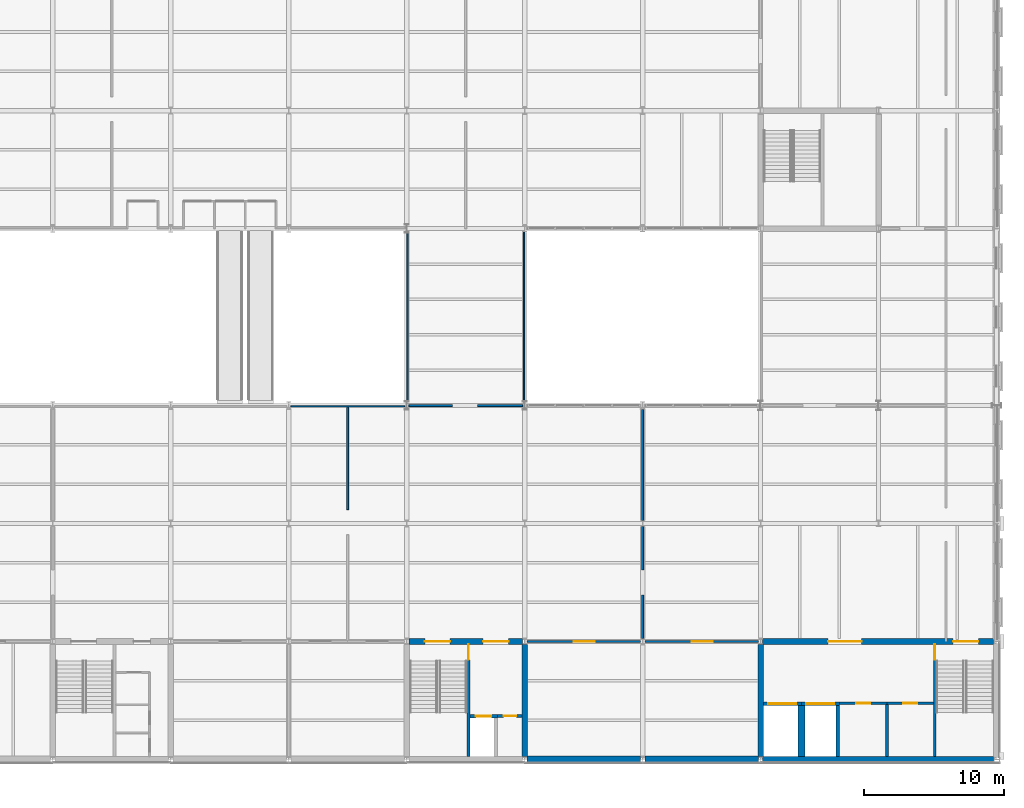
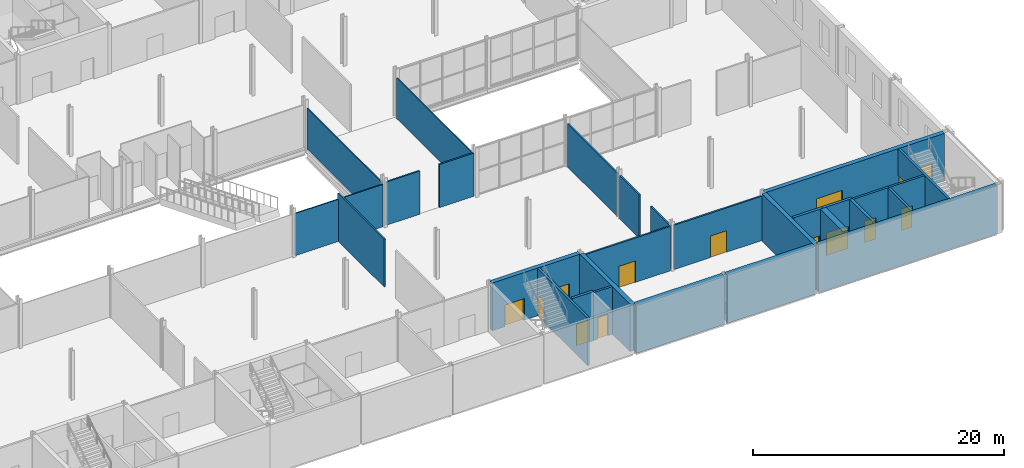
# One storey, part 32 of 52: 29 walls, 14 doors, 14 openings.
"""IFC4 building model written with IfcOpenShell, lengths in metres."""

from ifc_helpers import new_model, si_unit, direction, frame, frame_2d, origin, place, context, subcontext, project, spatial, rectangle, extrude, material, layer, layer_set, type_object, element, fill, save


model = new_model("IFC4")

# Units and contexts
model_context = context("Model", 3, precision=1e-05, world=origin(), true_north=direction((0.0, 1.0)))
body_context = subcontext(model_context, "Body", "Model", "MODEL_VIEW")
ifc_project = project(units=[si_unit("LENGTHUNIT", "METRE"), si_unit("AREAUNIT", "SQUARE_METRE"), si_unit("VOLUMEUNIT", "CUBIC_METRE"), si_unit("PLANEANGLEUNIT", "RADIAN"), si_unit("MASSUNIT", "GRAM", prefix="KILO")], contexts=[model_context])

# Site, building, storey
site_placement = place(None, origin())
site = spatial("IfcSite", under=ifc_project, at=site_placement, CompositionType="ELEMENT")
building_placement = place(site_placement, origin())
building = spatial("IfcBuilding", under=site, at=building_placement, Name="Galleria Vessillo Department Store", CompositionType="ELEMENT")
storey_placement = place(building_placement, frame((0.0, 0.0, 16.199951171875)))
storey = spatial("IfcBuildingStorey", under=building, at=storey_placement, Name="L03", CompositionType="ELEMENT", Elevation=16.199951171875)

# Walls
ifc_material_1 = material(Name="Fire-resisting glass in steel frame S355 J2", Category="steel")
ifc_layer_1 = layer(ifc_material_1, 0.10009765625)
ifc_layer_set_1 = layer_set([ifc_layer_1], Name="Fire-resisting glass in steel frame S355 J2")
wall_type_1 = type_object("IfcWallType", Name="Fire-resisting glazed screen EI 120-Sa 100 mm", PredefinedType="PARTITIONING", material=ifc_layer_set_1)
wall_1_placement = place(storey_placement, frame((67.35302734375, 25.14990234375, 0.0), z_axis=(0.0, 0.0, 1.0), x_axis=(1.0, 0.0, 0.0)))
element("IfcWall", 1, at=wall_1_placement, inside=storey, type_object=wall_type_1, Name="Fire screen, atrium edge L03", PredefinedType="PARTITIONING", context=body_context, shape_type="SweptSolid", body=[
    extrude(rectangle(XDim=8.094482421875, YDim=0.10009765625, at=frame_2d((4.04736328125, 0.0))), origin(), (0.0, 0.0, 1.0), 4.110107421875),
])
wall_2_placement = place(storey_placement, frame((75.64990234375, 25.510009765625, 0.0), z_axis=(0.0, 0.0, 1.0), x_axis=(0.0, 1.0, 0.0)))
element("IfcWall", 2, at=wall_2_placement, inside=storey, type_object=wall_type_1, Name="Fire screen, bridge face L03", PredefinedType="PARTITIONING", context=body_context, shape_type="SweptSolid", body=[
    extrude(rectangle(XDim=11.97998046875, YDim=0.10009765625, at=frame_2d((5.989990234375, 0.0))), origin(), (0.0, 0.0, 1.0), 3.960205078125),
])
wall_3_placement = place(storey_placement, frame((83.949951171875, 25.510009765625, 0.0), z_axis=(0.0, 0.0, 1.0), x_axis=(0.0, 1.0, 0.0)))
element("IfcWall", 3, at=wall_3_placement, inside=storey, type_object=wall_type_1, Name="Fire screen, bridge face L03", PredefinedType="PARTITIONING", context=body_context, shape_type="SweptSolid", body=[
    extrude(rectangle(XDim=12.051025390625, YDim=0.10009765625, at=frame_2d((6.025390625, 0.0))), origin(), (0.0, 0.0, 1.0), 3.960205078125),
])
ifc_material_2 = material(Name="Solid clay block masonry", Category="masonry")
ifc_layer_2 = layer(ifc_material_2, 0.5)
ifc_layer_set_2 = layer_set([ifc_layer_2], Name="Solid clay block masonry")
wall_type_2 = type_object("IfcWallType", Name="Lift shaft partition wall 500 mm", PredefinedType="SOLIDWALL", material=ifc_layer_set_2)
wall_4_placement = place(storey_placement, frame((103.699951171875, 0.199951171875, 0.0), z_axis=(0.0, 0.0, 1.0), x_axis=(0.0, 1.0, 0.0)))
element("IfcWall", 4, at=wall_4_placement, inside=storey, type_object=wall_type_2, Name="Lift shaft partition wall GL1 L03", PredefinedType="SOLIDWALL", context=body_context, shape_type="SweptSolid", body=[
    extrude(rectangle(XDim=3.650146484375, YDim=0.5, at=frame_2d((1.8251953125, 0.0))), origin(), (0.0, 0.0, 1.0), 4.800048828125),
])

# Wall, opening, door
ifc_material_3 = material(Name="Solid clay block masonry", Category="masonry")
ifc_layer_3 = layer(ifc_material_3, 0.25)
ifc_layer_set_3 = layer_set([ifc_layer_3], Name="Solid clay block masonry")
wall_type_3 = type_object("IfcWallType", Name="Lift shaft wall 250 mm", PredefinedType="SOLIDWALL", material=ifc_layer_set_3)
wall_5_placement = place(storey_placement, frame((80.10009765625, 3.074951171875, 0.0), z_axis=(0.0, 0.0, 1.0), x_axis=(1.0, 0.0, 0.0)))
wall_5 = element("IfcWall", 5, at=wall_5_placement, inside=storey, type_object=wall_type_3, Name="Lift shaft wall LP5 landing side L03", PredefinedType="SOLIDWALL", context=body_context, shape_type="SweptSolid", body=[
    extrude(rectangle(XDim=1.949951171875, YDim=0.25, at=frame_2d((0.97509765625, 0.0))), origin(), (0.0, 0.0, 1.0), 4.800048828125),
])
opening_1_placement = place(wall_5_placement, frame((0.4248046875, 0.0, 0.0)))
opening_1 = element("IfcOpeningElement", 6, at=opening_1_placement, cuts=wall_5, Name="Opening LD038", PredefinedType="OPENING", context=body_context, shape_type="SweptSolid", body=[
    extrude(rectangle(XDim=1.10009765625, YDim=2.10009765625, at=frame_2d((0.550048828125, 1.050048828125))), frame((0.0, 0.135009765625, 0.0), z_axis=(0.0, -1.0, 0.0), x_axis=(1.0, 0.0, 0.0)), (0.0, 0.0, 1.0), 0.27001953125),
])
ifc_material_4 = material(Name="Stainless steel lift door panel", Category="steel")
door_type_1 = type_object("IfcDoorType", Name="Lift landing door LD110 sliding 1100 x 2100", OperationType="SLIDING_TO_LEFT", PredefinedType="DOOR", material=ifc_material_4)
door_1_placement = place(opening_1_placement, origin())
door_1 = element("IfcDoor", 7, at=door_1_placement, inside=storey, type_object=door_type_1, Name="Lift landing door LP5 L03", OperationType="SLIDING_TO_LEFT", OverallHeight=2.10009765625, OverallWidth=1.10009765625, PredefinedType="DOOR", context=body_context, shape_type="SweptSolid", body=[
    extrude(rectangle(XDim=1.10009765625, YDim=2.10009765625, at=frame_2d((0.550048828125, 1.050048828125))), frame((0.0, 0.02490234375, 0.0), z_axis=(0.0, -1.0, 0.0), x_axis=(1.0, 0.0, 0.0)), (0.0, 0.0, 1.0), 0.050048828125),
])
fill(opening_1, door_1)

wall_6_placement = place(storey_placement, frame((101.0, 3.97509765625, 0.0), z_axis=(0.0, 0.0, 1.0), x_axis=(1.0, 0.0, 0.0)))
wall_6 = element("IfcWall", 8, at=wall_6_placement, inside=storey, type_object=wall_type_3, Name="Lift shaft wall GL1 landing side L03", PredefinedType="SOLIDWALL", context=body_context, shape_type="SweptSolid", body=[
    extrude(rectangle(XDim=2.699951171875, YDim=0.25, at=frame_2d((1.35009765625, 0.0))), origin(), (0.0, 0.0, 1.0), 4.800048828125),
])
opening_2_placement = place(wall_6_placement, frame((0.35009765625, 0.0, 0.0)))
opening_2 = element("IfcOpeningElement", 9, at=opening_2_placement, cuts=wall_6, Name="Opening LD059", PredefinedType="OPENING", context=body_context, shape_type="SweptSolid", body=[
    extrude(rectangle(XDim=2.0, YDim=2.199951171875, at=frame_2d((1.0, 1.10009765625))), frame((0.0, 0.135009765625, 0.0), z_axis=(0.0, -1.0, 0.0), x_axis=(1.0, 0.0, 0.0)), (0.0, 0.0, 1.0), 0.27001953125),
])
ifc_material_5 = material(Name="Stainless steel lift door panel", Category="steel")
door_type_2 = type_object("IfcDoorType", Name="Lift landing door LD200 sliding 2000 x 2200", OperationType="DOUBLE_DOOR_SLIDING", PredefinedType="DOOR", material=ifc_material_5)
door_2_placement = place(opening_2_placement, origin())
door_2 = element("IfcDoor", 10, at=door_2_placement, inside=storey, type_object=door_type_2, Name="Lift landing door GL1 L03", OperationType="DOUBLE_DOOR_SLIDING", OverallHeight=2.199951171875, OverallWidth=2.0, PredefinedType="DOOR", context=body_context, shape_type="SweptSolid", body=[
    extrude(rectangle(XDim=2.0, YDim=2.199951171875, at=frame_2d((1.0, 1.10009765625))), frame((0.0, 0.02490234375, 0.0), z_axis=(0.0, -1.0, 0.0), x_axis=(1.0, 0.0, 0.0)), (0.0, 0.0, 1.0), 0.050048828125),
])
fill(opening_2, door_2)

wall_7_placement = place(storey_placement, frame((103.699951171875, 3.97509765625, 0.0), z_axis=(0.0, 0.0, 1.0), x_axis=(1.0, 0.0, 0.0)))
wall_7 = element("IfcWall", 11, at=wall_7_placement, inside=storey, type_object=wall_type_3, Name="Lift shaft wall GL2 landing side L03", PredefinedType="SOLIDWALL", context=body_context, shape_type="SweptSolid", body=[
    extrude(rectangle(XDim=2.699951171875, YDim=0.25, at=frame_2d((1.35009765625, 0.0))), origin(), (0.0, 0.0, 1.0), 4.800048828125),
])
opening_3_placement = place(wall_7_placement, frame((0.35009765625, 0.0, 0.0)))
opening_3 = element("IfcOpeningElement", 12, at=opening_3_placement, cuts=wall_7, Name="Opening LD060", PredefinedType="OPENING", context=body_context, shape_type="SweptSolid", body=[
    extrude(rectangle(XDim=2.0, YDim=2.199951171875, at=frame_2d((1.0, 1.10009765625))), frame((0.0, 0.135009765625, 0.0), z_axis=(0.0, -1.0, 0.0), x_axis=(1.0, 0.0, 0.0)), (0.0, 0.0, 1.0), 0.27001953125),
])
door_3_placement = place(opening_3_placement, origin())
door_3 = element("IfcDoor", 13, at=door_3_placement, inside=storey, type_object=door_type_2, Name="Lift landing door GL2 L03", OperationType="DOUBLE_DOOR_SLIDING", OverallHeight=2.199951171875, OverallWidth=2.0, PredefinedType="DOOR", context=body_context, shape_type="SweptSolid", body=[
    extrude(rectangle(XDim=2.0, YDim=2.199951171875, at=frame_2d((1.0, 1.10009765625))), frame((0.0, 0.02490234375, 0.0), z_axis=(0.0, -1.0, 0.0), x_axis=(1.0, 0.0, 0.0)), (0.0, 0.0, 1.0), 0.050048828125),
])
fill(opening_3, door_3)

# Wall
wall_8_placement = place(storey_placement, frame((106.27490234375, 0.199951171875, 0.0), z_axis=(0.0, 0.0, 1.0), x_axis=(0.0, 1.0, 0.0)))
element("IfcWall", 14, at=wall_8_placement, inside=storey, type_object=wall_type_3, Name="Lift shaft wall GL2 L03", PredefinedType="SOLIDWALL", context=body_context, shape_type="SweptSolid", body=[
    extrude(rectangle(XDim=3.650146484375, YDim=0.25, at=frame_2d((1.8251953125, 0.0))), origin(), (0.0, 0.0, 1.0), 4.800048828125),
])

# Wall, openings, doors
ifc_material_6 = material(Name="Concrete C32/40 reinforced", Category="concrete")
ifc_layer_4 = layer(ifc_material_6, 0.39990234375)
ifc_layer_set_4 = layer_set([ifc_layer_4], Name="Concrete C32/40 reinforced")
wall_type_4 = type_object("IfcWallType", Name="Reinforced concrete core wall 400 mm", PredefinedType="SHEAR", material=ifc_layer_set_4)
wall_9_placement = place(storey_placement, frame((75.75, 8.39990234375, 0.0), z_axis=(0.0, 0.0, 1.0), x_axis=(1.0, 0.0, 0.0)))
wall_9 = element("IfcWall", 15, at=wall_9_placement, inside=storey, type_object=wall_type_4, Name="S-CW-PC-SE-INTERIOR-L03", PredefinedType="SHEAR", context=body_context, shape_type="SweptSolid", body=[
    extrude(rectangle(XDim=8.10009765625, YDim=0.39990234375, at=frame_2d((4.050048828125, 0.0))), origin(), (0.0, 0.0, 1.0), 4.650146484375),
])
opening_4_placement = place(wall_9_placement, frame((1.14990234375, 0.0, 0.0)))
opening_4 = element("IfcOpeningElement", 16, at=opening_4_placement, cuts=wall_9, Name="Opening D5148", PredefinedType="OPENING", context=body_context, shape_type="SweptSolid", body=[
    extrude(rectangle(XDim=1.800048828125, YDim=2.10009765625, at=frame_2d((0.89990234375, 1.050048828125))), frame((0.0, 0.2099609375, 0.0), z_axis=(0.0, -1.0, 0.0), x_axis=(1.0, 0.0, 0.0)), (0.0, 0.0, 1.0), 0.419921875),
])
opening_5_placement = place(wall_9_placement, frame((5.2998046875, 0.0, 0.0)))
opening_5 = element("IfcOpeningElement", 17, at=opening_5_placement, cuts=wall_9, Name="Opening D5149", PredefinedType="OPENING", context=body_context, shape_type="SweptSolid", body=[
    extrude(rectangle(XDim=1.800048828125, YDim=2.10009765625, at=frame_2d((0.89990234375, 1.050048828125))), frame((0.0, 0.2099609375, 0.0), z_axis=(0.0, -1.0, 0.0), x_axis=(1.0, 0.0, 0.0)), (0.0, 0.0, 1.0), 0.419921875),
])
ifc_material_7 = material(Name="Fire-rated steel door leaf", Category="steel")
door_type_3 = type_object("IfcDoorType", Name="Door D180F double leaf 1800 x 2100", OperationType="DOUBLE_DOOR_SINGLE_SWING", PredefinedType="DOOR", material=ifc_material_7)
door_4_placement = place(opening_4_placement, frame((1.800048828125, 0.0, 0.0), z_axis=(0.0, 0.0, 1.0), x_axis=(-1.0, 0.0, 0.0)))
door_4 = element("IfcDoor", 18, at=door_4_placement, inside=storey, type_object=door_type_3, Name="Lobby door PC-SE-ST-FLOOR L03", OperationType="DOUBLE_DOOR_SINGLE_SWING", OverallHeight=2.10009765625, OverallWidth=1.800048828125, PredefinedType="DOOR", context=body_context, shape_type="SweptSolid", body=[
    extrude(rectangle(XDim=1.800048828125, YDim=2.10009765625, at=frame_2d((0.89990234375, 1.050048828125))), frame((0.0, 0.02490234375, 0.0), z_axis=(0.0, -1.0, 0.0), x_axis=(1.0, 0.0, 0.0)), (0.0, 0.0, 1.0), 0.050048828125),
])
fill(opening_4, door_4)
door_5_placement = place(opening_5_placement, frame((1.800048828125, 0.0, 0.0), z_axis=(0.0, 0.0, 1.0), x_axis=(-1.0, 0.0, 0.0)))
door_5 = element("IfcDoor", 19, at=door_5_placement, inside=storey, type_object=door_type_3, Name="Lobby door PC-SE-LOBBY-FLOOR L03", OperationType="DOUBLE_DOOR_SINGLE_SWING", OverallHeight=2.10009765625, OverallWidth=1.800048828125, PredefinedType="DOOR", context=body_context, shape_type="SweptSolid", body=[
    extrude(rectangle(XDim=1.800048828125, YDim=2.10009765625, at=frame_2d((0.89990234375, 1.050048828125))), frame((0.0, 0.02490234375, 0.0), z_axis=(0.0, -1.0, 0.0), x_axis=(1.0, 0.0, 0.0)), (0.0, 0.0, 1.0), 0.050048828125),
])
fill(opening_5, door_5)

# Wall
wall_10_placement = place(storey_placement, frame((84.0, 0.199951171875, 0.0), z_axis=(0.0, 0.0, 1.0), x_axis=(0.0, 1.0, 0.0)))
element("IfcWall", 20, at=wall_10_placement, inside=storey, type_object=wall_type_4, Name="S-CW-PC-SE-EAST-L03", PredefinedType="SHEAR", context=body_context, shape_type="SweptSolid", body=[
    extrude(rectangle(XDim=8.0, YDim=0.39990234375, at=frame_2d((4.0, 0.0))), origin(), (0.0, 0.0, 1.0), 4.650146484375),
])

# Wall, openings, doors
wall_11_placement = place(storey_placement, frame((100.949951171875, 8.39990234375, 0.0), z_axis=(0.0, 0.0, 1.0), x_axis=(1.0, 0.0, 0.0)))
wall_11 = element("IfcWall", 21, at=wall_11_placement, inside=storey, type_object=wall_type_4, Name="S-CW-GC-INTERIOR-L03", PredefinedType="SHEAR", context=body_context, shape_type="SweptSolid", body=[
    extrude(rectangle(XDim=16.4501953125, YDim=0.39990234375, at=frame_2d((8.22509765625, 0.0))), origin(), (0.0, 0.0, 1.0), 4.650146484375),
])
opening_6_placement = place(wall_11_placement, frame((13.5498046875, 0.0, 0.0)))
opening_6 = element("IfcOpeningElement", 22, at=opening_6_placement, cuts=wall_11, Name="Opening D5247", PredefinedType="OPENING", context=body_context, shape_type="SweptSolid", body=[
    extrude(rectangle(XDim=1.800048828125, YDim=2.10009765625, at=frame_2d((0.89990234375, 1.050048828125))), frame((0.0, 0.2099609375, 0.0), z_axis=(0.0, -1.0, 0.0), x_axis=(1.0, 0.0, 0.0)), (0.0, 0.0, 1.0), 0.419921875),
])
opening_7_placement = place(wall_11_placement, frame((4.64990234375, 0.0, 0.0)))
opening_7 = element("IfcOpeningElement", 23, at=opening_7_placement, cuts=wall_11, Name="Opening D5248", PredefinedType="OPENING", context=body_context, shape_type="SweptSolid", body=[
    extrude(rectangle(XDim=2.39990234375, YDim=2.39990234375, at=frame_2d((1.199951171875, 1.199951171875))), frame((0.0, 0.2099609375, 0.0), z_axis=(0.0, -1.0, 0.0), x_axis=(1.0, 0.0, 0.0)), (0.0, 0.0, 1.0), 0.419921875),
])
door_6_placement = place(opening_6_placement, frame((1.800048828125, 0.0, 0.0), z_axis=(0.0, 0.0, 1.0), x_axis=(-1.0, 0.0, 0.0)))
door_6 = element("IfcDoor", 24, at=door_6_placement, inside=storey, type_object=door_type_3, Name="Lobby door GC-ST7-FLOOR L03", OperationType="DOUBLE_DOOR_SINGLE_SWING", OverallHeight=2.10009765625, OverallWidth=1.800048828125, PredefinedType="DOOR", context=body_context, shape_type="SweptSolid", body=[
    extrude(rectangle(XDim=1.800048828125, YDim=2.10009765625, at=frame_2d((0.89990234375, 1.050048828125))), frame((0.0, 0.02490234375, 0.0), z_axis=(0.0, -1.0, 0.0), x_axis=(1.0, 0.0, 0.0)), (0.0, 0.0, 1.0), 0.050048828125),
])
fill(opening_6, door_6)
ifc_material_8 = material(Name="Fire-rated steel door leaf", Category="steel")
door_type_4 = type_object("IfcDoorType", Name="Door D240F double leaf 2400 x 2400", OperationType="DOUBLE_DOOR_SINGLE_SWING", PredefinedType="DOOR", material=ifc_material_8)
door_7_placement = place(opening_7_placement, frame((2.39990234375, 0.0, 0.0), z_axis=(0.0, 0.0, 1.0), x_axis=(-1.0, 0.0, 0.0)))
door_7 = element("IfcDoor", 25, at=door_7_placement, inside=storey, type_object=door_type_4, Name="Lobby door GC-DOCK L03", OperationType="DOUBLE_DOOR_SINGLE_SWING", OverallHeight=2.39990234375, OverallWidth=2.39990234375, PredefinedType="DOOR", context=body_context, shape_type="SweptSolid", body=[
    extrude(rectangle(XDim=2.39990234375, YDim=2.39990234375, at=frame_2d((1.199951171875, 1.199951171875))), frame((0.0, 0.02490234375, 0.0), z_axis=(0.0, -1.0, 0.0), x_axis=(1.0, 0.0, 0.0)), (0.0, 0.0, 1.0), 0.050048828125),
])
fill(opening_7, door_7)

# Walls
wall_12_placement = place(storey_placement, frame((100.800048828125, 0.199951171875, 0.0), z_axis=(0.0, 0.0, 1.0), x_axis=(0.0, 1.0, 0.0)))
element("IfcWall", 26, at=wall_12_placement, inside=storey, type_object=wall_type_4, Name="S-CW-GC-WEST-L03", PredefinedType="SHEAR", context=body_context, shape_type="SweptSolid", body=[
    extrude(rectangle(XDim=8.0, YDim=0.39990234375, at=frame_2d((4.0, 0.0))), origin(), (0.0, 0.0, 1.0), 4.650146484375),
])
ifc_material_9 = material(Name="Concrete C32/40 reinforced", Category="concrete")
ifc_layer_5 = layer(ifc_material_9, 0.39990234375)
ifc_layer_set_5 = layer_set([ifc_layer_5], Name="Concrete C32/40 reinforced")
wall_type_5 = type_object("IfcWallType", Name="Reinforced concrete core wall 400 mm, external", PredefinedType="SHEAR", material=ifc_layer_set_5)
wall_13_placement = place(storey_placement, frame((100.949951171875, 0.0, 0.0), z_axis=(0.0, 0.0, 1.0), x_axis=(1.0, 0.0, 0.0)))
element("IfcWall", 27, at=wall_13_placement, inside=storey, type_object=wall_type_5, Name="S-CW-GC-PARTY-L03", PredefinedType="SHEAR", context=body_context, shape_type="SweptSolid", body=[
    extrude(rectangle(XDim=16.4501953125, YDim=0.39990234375, at=frame_2d((8.22509765625, 0.0))), origin(), (0.0, 0.0, 1.0), 4.650146484375),
])
ifc_material_10 = material(Name="Concrete C32/40 reinforced", Category="concrete")
ifc_layer_6 = layer(ifc_material_10, 0.5)
ifc_layer_set_6 = layer_set([ifc_layer_6], Name="Concrete C32/40 reinforced")
wall_type_6 = type_object("IfcWallType", Name="Reinforced concrete party wall 500 mm", PredefinedType="SHEAR", material=ifc_layer_set_6)
wall_14_placement = place(storey_placement, frame((84.14990234375, 0.0, 0.0), z_axis=(0.0, 0.0, 1.0), x_axis=(1.0, 0.0, 0.0)))
element("IfcWall", 28, at=wall_14_placement, inside=storey, type_object=wall_type_6, Name="S-PS-L03-07", PredefinedType="SHEAR", context=body_context, shape_type="SweptSolid", body=[
    extrude(rectangle(XDim=8.10009765625, YDim=0.5, at=frame_2d((4.050048828125, 0.0))), origin(), (0.0, 0.0, 1.0), 4.650146484375),
])
wall_15_placement = place(storey_placement, frame((92.5498046875, 0.0, 0.0), z_axis=(0.0, 0.0, 1.0), x_axis=(1.0, 0.0, 0.0)))
element("IfcWall", 29, at=wall_15_placement, inside=storey, type_object=wall_type_6, Name="S-PS-L03-08", PredefinedType="SHEAR", context=body_context, shape_type="SweptSolid", body=[
    extrude(rectangle(XDim=8.100341796875, YDim=0.5, at=frame_2d((4.05029296875, 0.0))), origin(), (0.0, 0.0, 1.0), 4.650146484375),
])

# Wall, opening, door
ifc_material_11 = material(Name="Concrete C32/40 reinforced", Category="concrete")
ifc_layer_7 = layer(ifc_material_11, 0.199951171875)
ifc_layer_set_7 = layer_set([ifc_layer_7], Name="Concrete C32/40 reinforced")
wall_type_7 = type_object("IfcWallType", Name="Reinforced concrete stair enclosure wall 200 mm", PredefinedType="SHEAR", material=ifc_layer_set_7)
wall_16_placement = place(storey_placement, frame((80.0, 0.199951171875, 0.0), z_axis=(0.0, 0.0, 1.0), x_axis=(0.0, 1.0, 0.0)))
wall_16 = element("IfcWall", 30, at=wall_16_placement, inside=storey, type_object=wall_type_7, Name="Stair enclosure wall PC-SE L03", PredefinedType="SHEAR", context=body_context, shape_type="SweptSolid", body=[
    extrude(rectangle(XDim=8.0, YDim=0.199951171875, at=frame_2d((4.0, 0.0))), origin(), (0.0, 0.0, 1.0), 4.650146484375),
])
opening_8_placement = place(wall_16_placement, frame((6.89990234375, 0.0, 0.0)))
opening_8 = element("IfcOpeningElement", 31, at=opening_8_placement, cuts=wall_16, Name="Opening D5146", PredefinedType="OPENING", context=body_context, shape_type="SweptSolid", body=[
    extrude(rectangle(XDim=1.11009765625, YDim=2.10009765625, at=frame_2d((0.554931640625, 1.050048828125))), frame((0.0, 0.10986328125, 0.0), z_axis=(0.0, -1.0, 0.0), x_axis=(1.0, 0.0, 0.0)), (0.0, 0.0, 1.0), 0.219970703125),
])
ifc_material_12 = material(Name="Fire-rated steel door leaf", Category="steel")
door_type_5 = type_object("IfcDoorType", Name="Door D110F stair door 1100 x 2100", OperationType="SINGLE_SWING_LEFT", PredefinedType="DOOR", material=ifc_material_12)
door_8_placement = place(opening_8_placement, origin())
door_8 = element("IfcDoor", 32, at=door_8_placement, inside=storey, type_object=door_type_5, Name="Stair door PC-SE-ST-LOBBY L03", OperationType="SINGLE_SWING_RIGHT", OverallHeight=2.10009765625, OverallWidth=1.10009765625, PredefinedType="DOOR", context=body_context, shape_type="SweptSolid", body=[
    extrude(rectangle(XDim=1.10009765625, YDim=2.10009765625, at=frame_2d((0.550048828125, 1.050048828125))), frame((0.0, 0.02490234375, 0.0), z_axis=(0.0, -1.0, 0.0), x_axis=(1.0, 0.0, 0.0)), (0.0, 0.0, 1.0), 0.050048828125),
])
fill(opening_8, door_8)

wall_17_placement = place(storey_placement, frame((113.199951171875, 0.199951171875, 0.0), z_axis=(0.0, 0.0, 1.0), x_axis=(0.0, 1.0, 0.0)))
wall_17 = element("IfcWall", 33, at=wall_17_placement, inside=storey, type_object=wall_type_7, Name="Stair enclosure wall GC L03", PredefinedType="SHEAR", context=body_context, shape_type="SweptSolid", body=[
    extrude(rectangle(XDim=8.0, YDim=0.199951171875, at=frame_2d((4.0, 0.0))), origin(), (0.0, 0.0, 1.0), 4.650146484375),
])
opening_9_placement = place(wall_17_placement, frame((6.89990234375, 0.0, 0.0)))
opening_9 = element("IfcOpeningElement", 34, at=opening_9_placement, cuts=wall_17, Name="Opening D5244", PredefinedType="OPENING", context=body_context, shape_type="SweptSolid", body=[
    extrude(rectangle(XDim=1.11009765625, YDim=2.10009765625, at=frame_2d((0.554931640625, 1.050048828125))), frame((0.0, 0.10986328125, 0.0), z_axis=(0.0, -1.0, 0.0), x_axis=(1.0, 0.0, 0.0)), (0.0, 0.0, 1.0), 0.219970703125),
])
door_9_placement = place(opening_9_placement, frame((1.10009765625, 0.0, 0.0), z_axis=(0.0, 0.0, 1.0), x_axis=(-1.0, 0.0, 0.0)))
door_9 = element("IfcDoor", 35, at=door_9_placement, inside=storey, type_object=door_type_5, Name="Stair door GC-ST7-LOBBY L03", OperationType="SINGLE_SWING_LEFT", OverallHeight=2.10009765625, OverallWidth=1.10009765625, PredefinedType="DOOR", context=body_context, shape_type="SweptSolid", body=[
    extrude(rectangle(XDim=1.10009765625, YDim=2.10009765625, at=frame_2d((0.550048828125, 1.050048828125))), frame((0.0, 0.02490234375, 0.0), z_axis=(0.0, -1.0, 0.0), x_axis=(1.0, 0.0, 0.0)), (0.0, 0.0, 1.0), 0.050048828125),
])
fill(opening_9, door_9)

ifc_material_13 = material(Name="Hollow clay block masonry", Category="masonry")
ifc_layer_8 = layer(ifc_material_13, 0.199951171875)
ifc_layer_set_8 = layer_set([ifc_layer_8], Name="Hollow clay block masonry")
wall_type_8 = type_object("IfcWallType", Name="Riser and service room wall 200 mm", PredefinedType="PARTITIONING", material=ifc_layer_set_8)
wall_18_placement = place(storey_placement, frame((82.050048828125, 3.099853515625, 0.0), z_axis=(0.0, 0.0, 1.0), x_axis=(1.0, 0.0, 0.0)))
wall_18 = element("IfcWall", 36, at=wall_18_placement, inside=storey, type_object=wall_type_8, Name="Riser wall PC-SE-RISER L03", PredefinedType="PARTITIONING", context=body_context, shape_type="SweptSolid", body=[
    extrude(rectangle(XDim=1.75, YDim=0.199951171875, at=frame_2d((0.875, 0.0))), origin(), (0.0, 0.0, 1.0), 4.650146484375),
])
opening_10_placement = place(wall_18_placement, frame((0.449951171875, 0.0, 0.0)))
opening_10 = element("IfcOpeningElement", 37, at=opening_10_placement, cuts=wall_18, Name="Opening D5147", PredefinedType="OPENING", context=body_context, shape_type="SweptSolid", body=[
    extrude(rectangle(XDim=0.89990234375, YDim=2.10009765625, at=frame_2d((0.449951171875, 1.050048828125))), frame((0.0, 0.10986328125, 0.0), z_axis=(0.0, -1.0, 0.0), x_axis=(1.0, 0.0, 0.0)), (0.0, 0.0, 1.0), 0.219970703125),
])
ifc_material_14 = material(Name="Fire-rated steel door leaf", Category="steel")
door_type_6 = type_object("IfcDoorType", Name="Door DR90 riser access 900 x 2100", OperationType="SINGLE_SWING_LEFT", PredefinedType="DOOR", material=ifc_material_14)
door_10_placement = place(opening_10_placement, frame((0.89990234375, 0.0, 0.0), z_axis=(0.0, 0.0, 1.0), x_axis=(-1.0, 0.0, 0.0)))
door_10 = element("IfcDoor", 38, at=door_10_placement, inside=storey, type_object=door_type_6, Name="Riser door PC-SE-RISER-D L03", OperationType="SINGLE_SWING_LEFT", OverallHeight=2.10009765625, OverallWidth=0.89990234375, PredefinedType="DOOR", context=body_context, shape_type="SweptSolid", body=[
    extrude(rectangle(XDim=0.89990234375, YDim=2.10009765625, at=frame_2d((0.449951171875, 1.050048828125))), frame((0.0, 0.02490234375, 0.0), z_axis=(0.0, -1.0, 0.0), x_axis=(1.0, 0.0, 0.0)), (0.0, 0.0, 1.0), 0.050048828125),
])
fill(opening_10, door_10)

wall_19_placement = place(storey_placement, frame((106.39990234375, 4.0, 0.0), z_axis=(0.0, 0.0, 1.0), x_axis=(1.0, 0.0, 0.0)))
wall_19 = element("IfcWall", 39, at=wall_19_placement, inside=storey, type_object=wall_type_8, Name="Service room wall GC-SERVICE-1 L03", PredefinedType="PARTITIONING", context=body_context, shape_type="SweptSolid", body=[
    extrude(rectangle(XDim=3.400146484375, YDim=0.199951171875, at=frame_2d((1.7001953125, 0.0))), origin(), (0.0, 0.0, 1.0), 4.650146484375),
])
opening_11_placement = place(wall_19_placement, frame((1.2001953125, 0.0, 0.0)))
opening_11 = element("IfcOpeningElement", 40, at=opening_11_placement, cuts=wall_19, Name="Opening D5245", PredefinedType="OPENING", context=body_context, shape_type="SweptSolid", body=[
    extrude(rectangle(XDim=1.0, YDim=2.10009765625, at=frame_2d((0.5, 1.050048828125))), frame((0.0, 0.10986328125, 0.0), z_axis=(0.0, -1.0, 0.0), x_axis=(1.0, 0.0, 0.0)), (0.0, 0.0, 1.0), 0.219970703125),
])
ifc_material_15 = material(Name="Fire-rated steel door leaf", Category="steel")
door_type_7 = type_object("IfcDoorType", Name="Door D100 service room 1000 x 2100", OperationType="SINGLE_SWING_LEFT", PredefinedType="DOOR", material=ifc_material_15)
door_11_placement = place(opening_11_placement, frame((1.0, 0.0, 0.0), z_axis=(0.0, 0.0, 1.0), x_axis=(-1.0, 0.0, 0.0)))
door_11 = element("IfcDoor", 41, at=door_11_placement, inside=storey, type_object=door_type_7, Name="Service room door GC-SERVICE-1 L03", OperationType="SINGLE_SWING_LEFT", OverallHeight=2.10009765625, OverallWidth=1.0, PredefinedType="DOOR", context=body_context, shape_type="SweptSolid", body=[
    extrude(rectangle(XDim=1.0, YDim=2.10009765625, at=frame_2d((0.5, 1.050048828125))), frame((0.0, 0.02490234375, 0.0), z_axis=(0.0, -1.0, 0.0), x_axis=(1.0, 0.0, 0.0)), (0.0, 0.0, 1.0), 0.050048828125),
])
fill(opening_11, door_11)

# Wall
wall_20_placement = place(storey_placement, frame((109.800048828125, 0.199951171875, 0.0), z_axis=(0.0, 0.0, 1.0), x_axis=(0.0, 1.0, 0.0)))
element("IfcWall", 42, at=wall_20_placement, inside=storey, type_object=wall_type_8, Name="Service room partition GC L03", PredefinedType="PARTITIONING", context=body_context, shape_type="SweptSolid", body=[
    extrude(rectangle(XDim=3.7001953125, YDim=0.199951171875, at=frame_2d((1.85009765625, 0.0))), origin(), (0.0, 0.0, 1.0), 4.650146484375),
])

# Wall, opening, door
wall_21_placement = place(storey_placement, frame((109.800048828125, 4.0, 0.0), z_axis=(0.0, 0.0, 1.0), x_axis=(1.0, 0.0, 0.0)))
wall_21 = element("IfcWall", 43, at=wall_21_placement, inside=storey, type_object=wall_type_8, Name="Service room wall GC-SERVICE-2 L03", PredefinedType="PARTITIONING", context=body_context, shape_type="SweptSolid", body=[
    extrude(rectangle(XDim=3.300048828125, YDim=0.199951171875, at=frame_2d((1.64990234375, 0.0))), origin(), (0.0, 0.0, 1.0), 4.650146484375),
])
opening_12_placement = place(wall_21_placement, frame((1.14990234375, 0.0, 0.0)))
opening_12 = element("IfcOpeningElement", 44, at=opening_12_placement, cuts=wall_21, Name="Opening D5246", PredefinedType="OPENING", context=body_context, shape_type="SweptSolid", body=[
    extrude(rectangle(XDim=1.0, YDim=2.10009765625, at=frame_2d((0.5, 1.050048828125))), frame((0.0, 0.10986328125, 0.0), z_axis=(0.0, -1.0, 0.0), x_axis=(1.0, 0.0, 0.0)), (0.0, 0.0, 1.0), 0.219970703125),
])
door_12_placement = place(opening_12_placement, frame((1.0, 0.0, 0.0), z_axis=(0.0, 0.0, 1.0), x_axis=(-1.0, 0.0, 0.0)))
door_12 = element("IfcDoor", 45, at=door_12_placement, inside=storey, type_object=door_type_7, Name="Service room door GC-SERVICE-2 L03", OperationType="SINGLE_SWING_RIGHT", OverallHeight=2.10009765625, OverallWidth=1.0, PredefinedType="DOOR", context=body_context, shape_type="SweptSolid", body=[
    extrude(rectangle(XDim=1.0, YDim=2.10009765625, at=frame_2d((0.5, 1.050048828125))), frame((0.0, 0.02490234375, 0.0), z_axis=(0.0, -1.0, 0.0), x_axis=(1.0, 0.0, 0.0)), (0.0, 0.0, 1.0), 0.050048828125),
])
fill(opening_12, door_12)

# Walls
ifc_material_16 = material(Name="Gypsum board partition")
ifc_layer_9 = layer(ifc_material_16, 0.139892578125)
ifc_layer_set_9 = layer_set([ifc_layer_9], Name="Gypsum board partition")
wall_type_9 = type_object("IfcWallType", Name="Sales dividing wall 140 mm", PredefinedType="PARTITIONING", material=ifc_layer_set_9)
wall_22_placement = place(storey_placement, frame((71.39990234375, 17.800048828125, 0.0), z_axis=(0.0, 0.0, 1.0), x_axis=(0.0, 1.0, 0.0)))
element("IfcWall", 46, at=wall_22_placement, inside=storey, type_object=wall_type_9, Name="Partition wall PT3 on L03 no. 050", PredefinedType="PARTITIONING", context=body_context, shape_type="SweptSolid", body=[
    extrude(rectangle(XDim=7.39990234375, YDim=0.139892578125, at=frame_2d((3.699951171875, 0.0))), origin(), (0.0, 0.0, 1.0), 4.650146484375),
])
for number, where, z_axis, x_axis, name in (
    (47, (92.39990234375, 8.599853515625, 0.0), (0.0, 0.0, 1.0), (0.0, 1.0, 0.0), "Partition wall PT3 on L03 no. 051"),
    (48, (92.39990234375, 13.5, 0.0), (0.0, 0.0, 1.0), (0.0, 1.0, 0.0), "Partition wall PT3 on L03 no. 052"),
):
    element("IfcWall", number, at=place(storey_placement, frame(where, z_axis=z_axis, x_axis=x_axis)), inside=storey, type_object=wall_type_9, Name=name, PredefinedType="PARTITIONING", context=body_context, shape_type="SweptSolid", body=[
        extrude(rectangle(XDim=3.10009765625, YDim=0.139892578125, at=frame_2d((1.550048828125, 0.0))), origin(), (0.0, 0.0, 1.0), 4.210205078125),
    ])
wall_23_placement = place(storey_placement, frame((92.39990234375, 17.0, 0.0), z_axis=(0.0, 0.0, 1.0), x_axis=(0.0, 1.0, 0.0)))
element("IfcWall", 49, at=wall_23_placement, inside=storey, type_object=wall_type_9, Name="Partition wall PT3 on L03 no. 053", PredefinedType="PARTITIONING", context=body_context, shape_type="SweptSolid", body=[
    extrude(rectangle(XDim=7.93798828125, YDim=0.139892578125, at=frame_2d((3.968994140625, 0.0))), origin(), (0.0, 0.0, 1.0), 4.210205078125),
])
wall_24_placement = place(storey_placement, frame((75.752685546875, 25.199951171875, 0.0), z_axis=(0.0, 0.0, 1.0), x_axis=(1.0, 0.0, 0.0)))
element("IfcWall", 50, at=wall_24_placement, inside=storey, type_object=wall_type_9, Name="Partition wall PT3 on L03 no. 054", PredefinedType="PARTITIONING", context=body_context, shape_type="SweptSolid", body=[
    extrude(rectangle(XDim=3.099853515625, YDim=0.139892578125, at=frame_2d((1.5498046875, 0.0))), origin(), (0.0, 0.0, 1.0), 4.210205078125),
])
wall_25_placement = place(storey_placement, frame((80.652587890625, 25.199951171875, 0.0), z_axis=(0.0, 0.0, 1.0), x_axis=(1.0, 0.0, 0.0)))
element("IfcWall", 51, at=wall_25_placement, inside=storey, type_object=wall_type_9, Name="Partition wall PT3 on L03 no. 055", PredefinedType="PARTITIONING", context=body_context, shape_type="SweptSolid", body=[
    extrude(rectangle(XDim=3.19482421875, YDim=0.139892578125, at=frame_2d((1.597412109375, 0.0))), origin(), (0.0, 0.0, 1.0), 4.210205078125),
])

# Wall, opening, door
ifc_material_17 = material(Name="Concrete blockwork", Category="masonry")
ifc_layer_10 = layer(ifc_material_17, 0.14990234375)
ifc_layer_set_10 = layer_set([ifc_layer_10], Name="Concrete blockwork")
wall_type_10 = type_object("IfcWallType", Name="Stockroom blockwork wall 150 mm", PredefinedType="SOLIDWALL", material=ifc_layer_set_10)
wall_26_placement = place(storey_placement, frame((84.14990234375, 8.39990234375, 0.0), z_axis=(0.0, 0.0, 1.0), x_axis=(1.0, 0.0, 0.0)))
wall_26 = element("IfcWall", 52, at=wall_26_placement, inside=storey, type_object=wall_type_10, Name="Partition wall PT4 on L03 no. 021", PredefinedType="SOLIDWALL", context=body_context, shape_type="SweptSolid", body=[
    extrude(rectangle(XDim=8.10009765625, YDim=0.14990234375, at=frame_2d((4.050048828125, 0.0))), origin(), (0.0, 0.0, 1.0), 4.320068359375),
])
opening_13_placement = place(wall_26_placement, frame((3.35009765625, 0.0, 0.0)))
opening_13 = element("IfcOpeningElement", 53, at=opening_13_placement, cuts=wall_26, Name="Opening D2513", PredefinedType="OPENING", context=body_context, shape_type="SweptSolid", body=[
    extrude(rectangle(XDim=1.5, YDim=2.10009765625, at=frame_2d((0.75, 1.050048828125))), frame((0.0, 0.0849609375, 0.0), z_axis=(0.0, -1.0, 0.0), x_axis=(1.0, 0.0, 0.0)), (0.0, 0.0, 1.0), 0.169921875),
])
ifc_material_18 = material(Name="Steel fire door leaf", Category="steel")
door_type_8 = type_object("IfcDoorType", Name="Stockroom fire door 1500 double leaf", OperationType="DOUBLE_DOOR_SINGLE_SWING", PredefinedType="DOOR", material=ifc_material_18)
door_13_placement = place(opening_13_placement, frame((1.5, 0.0, 0.0), z_axis=(0.0, 0.0, 1.0), x_axis=(-1.0, 0.0, 0.0)))
door_13 = element("IfcDoor", 54, at=door_13_placement, inside=storey, type_object=door_type_8, Name="Door D2513", OperationType="DOUBLE_DOOR_SINGLE_SWING", OverallHeight=2.10009765625, OverallWidth=1.5, PredefinedType="DOOR", context=body_context, shape_type="SweptSolid", body=[
    extrude(rectangle(XDim=1.5, YDim=2.10009765625, at=frame_2d((0.75, 1.050048828125))), frame((0.0, 0.02490234375, 0.0), z_axis=(0.0, -1.0, 0.0), x_axis=(1.0, 0.0, 0.0)), (0.0, 0.0, 1.0), 0.050048828125),
])
fill(opening_13, door_13)

wall_27_placement = place(storey_placement, frame((92.5498046875, 8.39990234375, 0.0), z_axis=(0.0, 0.0, 1.0), x_axis=(1.0, 0.0, 0.0)))
wall_27 = element("IfcWall", 55, at=wall_27_placement, inside=storey, type_object=wall_type_10, Name="Partition wall PT4 on L03 no. 022", PredefinedType="SOLIDWALL", context=body_context, shape_type="SweptSolid", body=[
    extrude(rectangle(XDim=8.100341796875, YDim=0.14990234375, at=frame_2d((4.05029296875, 0.0))), origin(), (0.0, 0.0, 1.0), 4.320068359375),
])
opening_14_placement = place(wall_27_placement, frame((3.35009765625, 0.0, 0.0)))
opening_14 = element("IfcOpeningElement", 56, at=opening_14_placement, cuts=wall_27, Name="Opening D2514", PredefinedType="OPENING", context=body_context, shape_type="SweptSolid", body=[
    extrude(rectangle(XDim=1.5, YDim=2.10009765625, at=frame_2d((0.75, 1.050048828125))), frame((0.0, 0.0849609375, 0.0), z_axis=(0.0, -1.0, 0.0), x_axis=(1.0, 0.0, 0.0)), (0.0, 0.0, 1.0), 0.169921875),
])
door_14_placement = place(opening_14_placement, frame((1.5, 0.0, 0.0), z_axis=(0.0, 0.0, 1.0), x_axis=(-1.0, 0.0, 0.0)))
door_14 = element("IfcDoor", 57, at=door_14_placement, inside=storey, type_object=door_type_8, Name="Door D2514", OperationType="DOUBLE_DOOR_SINGLE_SWING", OverallHeight=2.10009765625, OverallWidth=1.5, PredefinedType="DOOR", context=body_context, shape_type="SweptSolid", body=[
    extrude(rectangle(XDim=1.5, YDim=2.10009765625, at=frame_2d((0.75, 1.050048828125))), frame((0.0, 0.02490234375, 0.0), z_axis=(0.0, -1.0, 0.0), x_axis=(1.0, 0.0, 0.0)), (0.0, 0.0, 1.0), 0.050048828125),
])
fill(opening_14, door_14)

save(model, "model.ifc")
